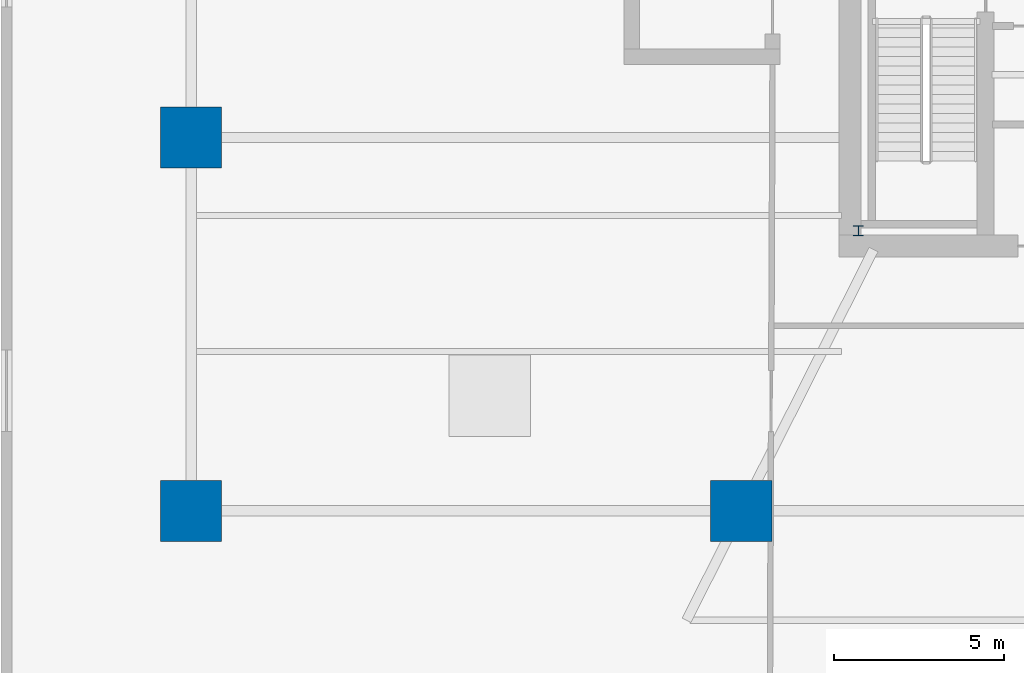
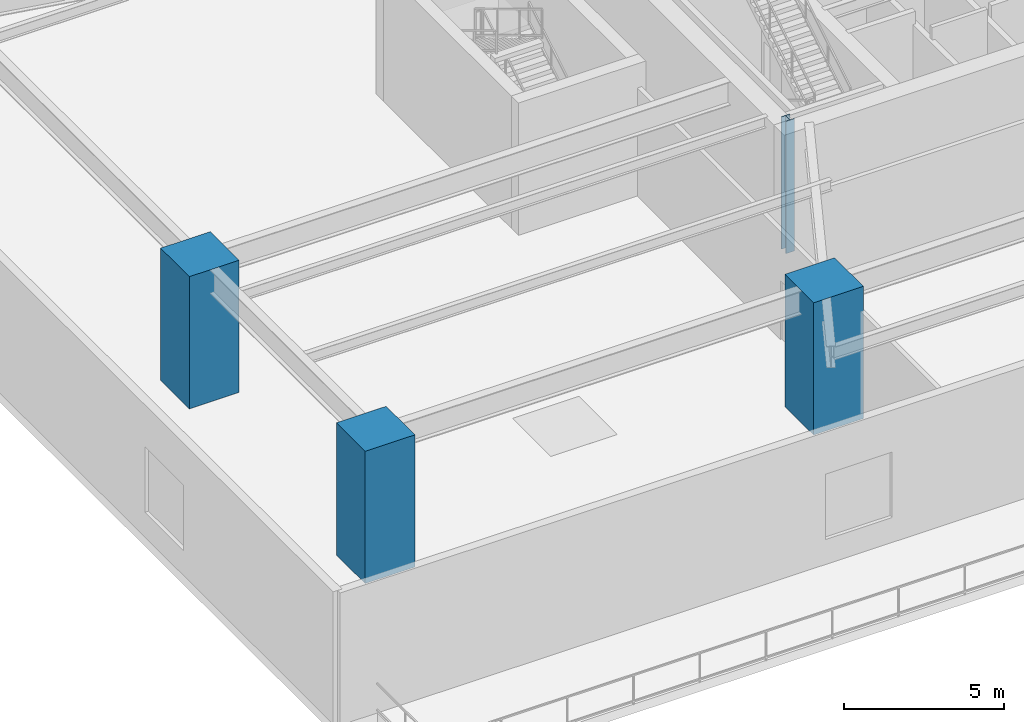
# One storey, part 1 of 11: 4 columns.
"""IFC4 building model written with IfcOpenShell, lengths in metres."""

from ifc_helpers import new_model, si_unit, direction, frame, origin, origin_2d, place, context, subcontext, project, spatial, rectangle, i_section, extrude, material, material_profile, profile_set, type_object, element, save


model = new_model("IFC4")

# Units and contexts
model_context = context("Model", 3, precision=1e-05, world=origin(), true_north=direction((0.0, 1.0)))
body_context = subcontext(model_context, "Body", "Model", "MODEL_VIEW")
ifc_project = project(units=[si_unit("LENGTHUNIT", "METRE"), si_unit("AREAUNIT", "SQUARE_METRE"), si_unit("VOLUMEUNIT", "CUBIC_METRE"), si_unit("PLANEANGLEUNIT", "RADIAN"), si_unit("MASSUNIT", "GRAM", prefix="KILO")], contexts=[model_context])

# Site, building, storey
site_placement = place(None, origin())
site = spatial("IfcSite", under=ifc_project, at=site_placement, CompositionType="ELEMENT")
building_placement = place(site_placement, origin())
building = spatial("IfcBuilding", under=site, at=building_placement, Name="Qarnah Convention Tower", CompositionType="ELEMENT")
storey_placement = place(building_placement, frame((0.0, 0.0, 5.39990234375)))
storey = spatial("IfcBuildingStorey", under=building, at=storey_placement, Name="L01", CompositionType="ELEMENT", Elevation=5.39990234375)

# Columns
ifc_material_1 = material(Name="Concrete C60/75", Category="concrete")
ifc_material_profile_1 = material_profile(ifc_material_1, rectangle(XDim=1.800048828125, YDim=1.800048828125, at=origin_2d()), Name="RC-COL-1800X1800")
ifc_profile_set_1 = profile_set([ifc_material_profile_1], Name="Concrete C60/75")
column_type_1 = type_object("IfcColumnType", Name="COL-MC1800", PredefinedType="COLUMN", material=ifc_profile_set_1)
for number, where, z_axis, x_axis, name in (
    (1, (7.39990234375, 10.800048828125, 0.0), (0.0, 0.0, 1.0), (1.0, 0.0, 0.0), "L01 plumb column MC-01"),
    (2, (23.60009765625, 10.800048828125, 0.0), (0.0, 0.0, 1.0), (1.0, 0.0, 0.0), "L01 plumb column MC-02"),
    (3, (7.39990234375, 21.800048828125, 0.0), (0.0, 0.0, 1.0), (1.0, 0.0, 0.0), "L01 plumb column MC-12"),
):
    element("IfcColumn", number, at=place(storey_placement, frame(where, z_axis=z_axis, x_axis=x_axis)), inside=storey, type_object=column_type_1, Name=name, PredefinedType="COLUMN", context=body_context, shape_type="SweptSolid", body=[
        extrude(rectangle(XDim=1.800048828125, YDim=1.800048828125, at=origin_2d()), origin(), (0.0, 0.0, 1.0), 5.050048828125),
    ])
ifc_material_2 = material(Name="Structural steel S355JR", Category="steel")
ifc_material_profile_2 = material_profile(ifc_material_2, i_section(OverallWidth=0.300048828125, OverallDepth=0.300048828125, WebThickness=0.010986328125, FlangeThickness=0.01904296875, at=origin_2d()), Name="HEB300")
ifc_profile_set_2 = profile_set([ifc_material_profile_2], Name="Structural steel S355JR")
column_type_2 = type_object("IfcColumnType", Name="PIL-SHF-300", PredefinedType="PILASTER", material=ifc_profile_set_2)
column_placement = place(storey_placement, frame((27.050048828125, 19.050048828125, 0.0), z_axis=(0.0, 0.0, 1.0), x_axis=(1.0, 0.0, 0.0)))
element("IfcColumn", 4, at=column_placement, inside=storey, type_object=column_type_2, Name="L01 core spine steel pilaster 1", PredefinedType="PILASTER", context=body_context, shape_type="SweptSolid", body=[
    extrude(i_section(OverallWidth=0.300048828125, OverallDepth=0.300048828125, WebThickness=0.010986328125, FlangeThickness=0.01904296875, at=origin_2d()), origin(), (0.0, 0.0, 1.0), 5.050048828125),
])

save(model, "model.ifc")
